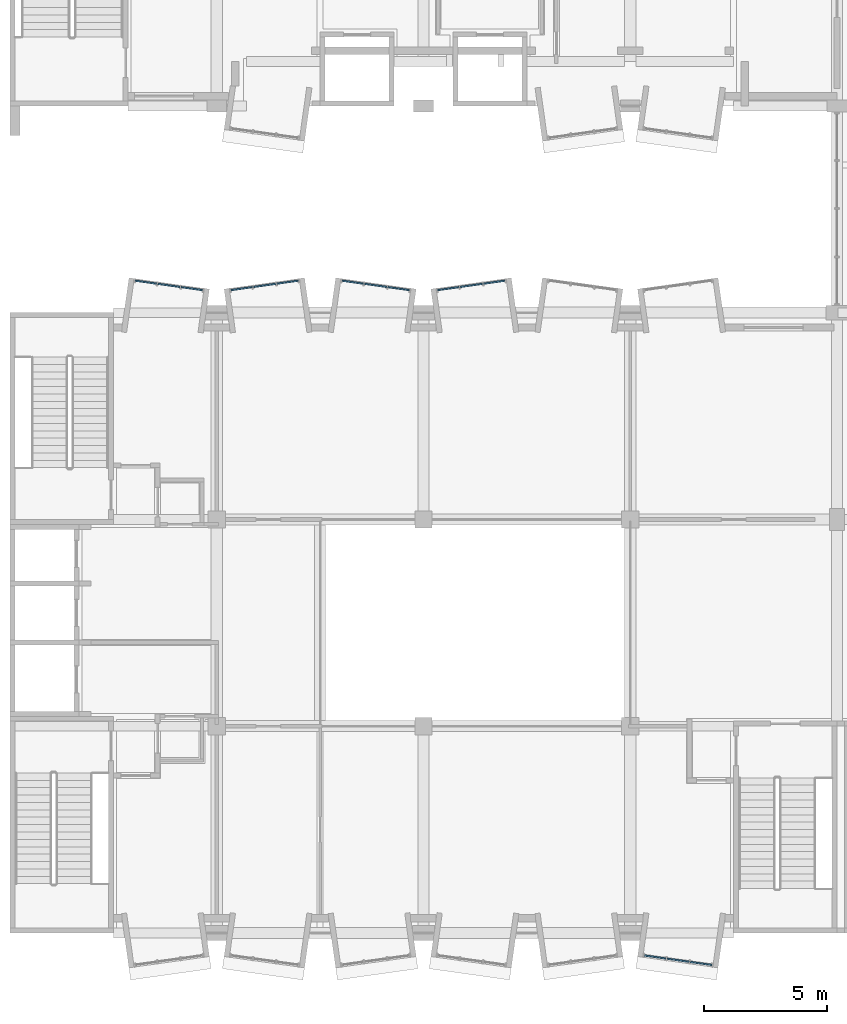
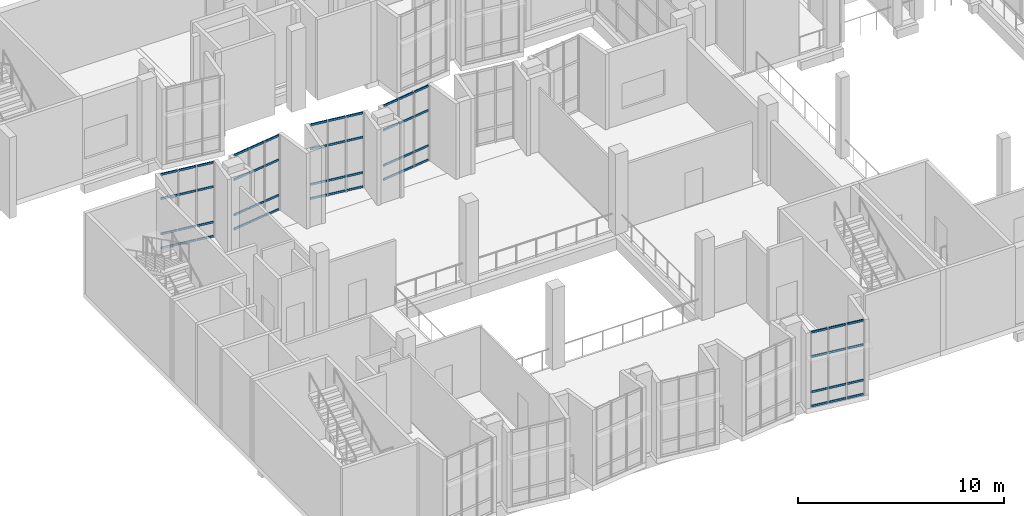
# One storey, part 47 of 100: 60 members, 5 elements without a shape of their own.
"""IFC4 building model written with IfcOpenShell, lengths in metres."""

from ifc_helpers import new_model, si_unit, direction, frame, origin, origin_2d, place, context, subcontext, project, spatial, rectangle, extrude, material, layer, layer_set, material_profile, profile_set, type_object, element, aggregate, save


model = new_model("IFC4")

# Units and contexts
model_context = context("Model", 3, precision=1e-05, world=origin(), true_north=direction((0.0, 1.0)))
body_context = subcontext(model_context, "Body", "Model", "MODEL_VIEW")
ifc_project = project(units=[si_unit("LENGTHUNIT", "METRE"), si_unit("AREAUNIT", "SQUARE_METRE"), si_unit("VOLUMEUNIT", "CUBIC_METRE"), si_unit("PLANEANGLEUNIT", "RADIAN"), si_unit("MASSUNIT", "GRAM", prefix="KILO")], contexts=[model_context])

# Site, building, storey
site_placement = place(None, origin())
site = spatial("IfcSite", under=ifc_project, at=site_placement, CompositionType="ELEMENT")
building_placement = place(site_placement, origin())
building = spatial("IfcBuilding", under=site, at=building_placement, Name="Kiln Court Media Centre", CompositionType="ELEMENT")
storey_placement = place(building_placement, frame((0.0, 0.0, 15.0)))
storey = spatial("IfcBuildingStorey", under=building, at=storey_placement, Name="L03", CompositionType="ELEMENT", Elevation=15.0)

# Curtain wall, members
ifc_material_1 = material(Name="Aluminium 6063-T6", Category="aluminium")
ifc_layer = layer(ifc_material_1, 0.1201171875)
ifc_layer_set = layer_set([ifc_layer], Name="Aluminium unitised bay curtain wall")
curtain_wall_type = type_object("IfcCurtainWallType", Name="Aluminium unitised bay curtain wall", PredefinedType="USERDEFINED", material=ifc_layer_set)
curtain_wall_1_placement = place(storey_placement, origin())
curtain_wall_1 = element("IfcCurtainWall", 1, at=curtain_wall_1_placement, inside=storey, type_object=curtain_wall_type, Name="BAY V6A-N-L03-16 front", ObjectType="UNITISED CURTAIN WALL", PredefinedType="USERDEFINED")
ifc_material_2 = material(Name="Aluminium 6063-T6", Category="aluminium")
ifc_material_profile = material_profile(ifc_material_2, rectangle(XDim=0.06005859375, YDim=0.1201171875, at=origin_2d()), Name="Aluminium transom 60x120")
ifc_profile_set = profile_set([ifc_material_profile], Name="Aluminium 6063-T6")
member_type = type_object("IfcMemberType", Name="Aluminium transom 60x120", PredefinedType="USERDEFINED", material=ifc_profile_set)
member_1_placement = place(storey_placement, frame((5.09423828125, 26.50048828125, 0.06005859375), z_axis=(0.990268108888, -0.139172815303, 0.0), x_axis=(0.139172815303, 0.990268108888, 0.0)))
member_1 = element("IfcMember", 2, at=member_1_placement, type_object=member_type, Name="CW3-04 transom 1.1", ObjectType="TRANSOM", PredefinedType="USERDEFINED", context=body_context, shape_type="SweptSolid", body=[
    extrude(rectangle(XDim=0.06005859375, YDim=0.1201171875, at=origin_2d()), origin(), (0.0, 0.0, 1.0), 0.86669921875),
])
member_2_placement = place(storey_placement, frame((5.09423828125, 26.50048828125, 0.89990234375), z_axis=(0.990268108888, -0.139172815303, 0.0), x_axis=(0.139172815303, 0.990268108888, 0.0)))
member_2 = element("IfcMember", 3, at=member_2_placement, type_object=member_type, Name="CW3-04 transom 1.2", ObjectType="TRANSOM", PredefinedType="USERDEFINED", context=body_context, shape_type="SweptSolid", body=[
    extrude(rectangle(XDim=0.06005859375, YDim=0.1201171875, at=origin_2d()), origin(), (0.0, 0.0, 1.0), 0.86669921875),
])
member_3_placement = place(storey_placement, frame((5.09423828125, 26.50048828125, 3.0), z_axis=(0.990268108888, -0.139172815303, 0.0), x_axis=(0.139172815303, 0.990268108888, 0.0)))
member_3 = element("IfcMember", 4, at=member_3_placement, type_object=member_type, Name="CW3-04 transom 1.3", ObjectType="TRANSOM", PredefinedType="USERDEFINED", context=body_context, shape_type="SweptSolid", body=[
    extrude(rectangle(XDim=0.06005859375, YDim=0.1201171875, at=origin_2d()), origin(), (0.0, 0.0, 1.0), 0.86669921875),
])
member_4_placement = place(storey_placement, frame((5.09423828125, 26.50048828125, 4.43994140625), z_axis=(0.990268108888, -0.139172815303, 0.0), x_axis=(0.139172815303, 0.990268108888, 0.0)))
member_4 = element("IfcMember", 5, at=member_4_placement, type_object=member_type, Name="CW3-04 transom 1.4", ObjectType="TRANSOM", PredefinedType="USERDEFINED", context=body_context, shape_type="SweptSolid", body=[
    extrude(rectangle(XDim=0.06005859375, YDim=0.1201171875, at=origin_2d()), origin(), (0.0, 0.0, 1.0), 0.86669921875),
])
member_5_placement = place(storey_placement, frame((6.011962890625, 26.37158203125, 0.06005859375), z_axis=(0.990273584723, -0.13913384707, 0.0), x_axis=(0.13913384707, 0.990273584723, 0.0)))
member_5 = element("IfcMember", 6, at=member_5_placement, type_object=member_type, Name="CW3-04 transom 2.1", ObjectType="TRANSOM", PredefinedType="USERDEFINED", context=body_context, shape_type="SweptSolid", body=[
    extrude(rectangle(XDim=0.06005859375, YDim=0.1201171875, at=origin_2d()), origin(), (0.0, 0.0, 1.0), 0.896728515625),
])
member_6_placement = place(storey_placement, frame((6.011962890625, 26.37158203125, 0.89990234375), z_axis=(0.990273584723, -0.13913384707, 0.0), x_axis=(0.13913384707, 0.990273584723, 0.0)))
member_6 = element("IfcMember", 7, at=member_6_placement, type_object=member_type, Name="CW3-04 transom 2.2", ObjectType="TRANSOM", PredefinedType="USERDEFINED", context=body_context, shape_type="SweptSolid", body=[
    extrude(rectangle(XDim=0.06005859375, YDim=0.1201171875, at=origin_2d()), origin(), (0.0, 0.0, 1.0), 0.896728515625),
])
member_7_placement = place(storey_placement, frame((6.011962890625, 26.37158203125, 3.0), z_axis=(0.990273584723, -0.13913384707, 0.0), x_axis=(0.13913384707, 0.990273584723, 0.0)))
member_7 = element("IfcMember", 8, at=member_7_placement, type_object=member_type, Name="CW3-04 transom 2.3", ObjectType="TRANSOM", PredefinedType="USERDEFINED", context=body_context, shape_type="SweptSolid", body=[
    extrude(rectangle(XDim=0.06005859375, YDim=0.1201171875, at=origin_2d()), origin(), (0.0, 0.0, 1.0), 0.896728515625),
])
member_8_placement = place(storey_placement, frame((6.011962890625, 26.37158203125, 4.43994140625), z_axis=(0.990273584723, -0.13913384707, 0.0), x_axis=(0.13913384707, 0.990273584723, 0.0)))
member_8 = element("IfcMember", 9, at=member_8_placement, type_object=member_type, Name="CW3-04 transom 2.4", ObjectType="TRANSOM", PredefinedType="USERDEFINED", context=body_context, shape_type="SweptSolid", body=[
    extrude(rectangle(XDim=0.06005859375, YDim=0.1201171875, at=origin_2d()), origin(), (0.0, 0.0, 1.0), 0.896728515625),
])
member_9_placement = place(storey_placement, frame((6.959228515625, 26.23828125, 0.06005859375), z_axis=(0.990268108888, -0.139172815303, 0.0), x_axis=(0.139172815303, 0.990268108888, 0.0)))
member_9 = element("IfcMember", 10, at=member_9_placement, type_object=member_type, Name="CW3-04 transom 3.1", ObjectType="TRANSOM", PredefinedType="USERDEFINED", context=body_context, shape_type="SweptSolid", body=[
    extrude(rectangle(XDim=0.06005859375, YDim=0.1201171875, at=origin_2d()), origin(), (0.0, 0.0, 1.0), 0.86669921875),
])
member_10_placement = place(storey_placement, frame((6.959228515625, 26.23828125, 0.89990234375), z_axis=(0.990268108888, -0.139172815303, 0.0), x_axis=(0.139172815303, 0.990268108888, 0.0)))
member_10 = element("IfcMember", 11, at=member_10_placement, type_object=member_type, Name="CW3-04 transom 3.2", ObjectType="TRANSOM", PredefinedType="USERDEFINED", context=body_context, shape_type="SweptSolid", body=[
    extrude(rectangle(XDim=0.06005859375, YDim=0.1201171875, at=origin_2d()), origin(), (0.0, 0.0, 1.0), 0.86669921875),
])
member_11_placement = place(storey_placement, frame((6.959228515625, 26.23828125, 3.0), z_axis=(0.990268108888, -0.139172815303, 0.0), x_axis=(0.139172815303, 0.990268108888, 0.0)))
member_11 = element("IfcMember", 12, at=member_11_placement, type_object=member_type, Name="CW3-04 transom 3.3", ObjectType="TRANSOM", PredefinedType="USERDEFINED", context=body_context, shape_type="SweptSolid", body=[
    extrude(rectangle(XDim=0.06005859375, YDim=0.1201171875, at=origin_2d()), origin(), (0.0, 0.0, 1.0), 0.86669921875),
])
member_12_placement = place(storey_placement, frame((6.959228515625, 26.23828125, 4.43994140625), z_axis=(0.990268108888, -0.139172815303, 0.0), x_axis=(0.139172815303, 0.990268108888, 0.0)))
member_12 = element("IfcMember", 13, at=member_12_placement, type_object=member_type, Name="CW3-04 transom 3.4", ObjectType="TRANSOM", PredefinedType="USERDEFINED", context=body_context, shape_type="SweptSolid", body=[
    extrude(rectangle(XDim=0.06005859375, YDim=0.1201171875, at=origin_2d()), origin(), (0.0, 0.0, 1.0), 0.86669921875),
])
aggregate(curtain_wall_1, [member_1, member_2, member_3, member_4, member_5, member_6, member_7, member_8, member_9, member_10, member_11, member_12])

curtain_wall_2_placement = place(storey_placement, origin())
curtain_wall_2 = element("IfcCurtainWall", 14, at=curtain_wall_2_placement, inside=storey, type_object=curtain_wall_type, Name="BAY V6A-N-L03-17 front", ObjectType="UNITISED CURTAIN WALL", PredefinedType="USERDEFINED")
member_13_placement = place(storey_placement, frame((8.982421875, 26.11767578125, 0.06005859375), z_axis=(0.990273563383, 0.139133998951, 0.0), x_axis=(-0.139133998951, 0.990273563383, 0.0)))
member_13 = element("IfcMember", 15, at=member_13_placement, type_object=member_type, Name="CW3-05 transom 1.1", ObjectType="TRANSOM", PredefinedType="USERDEFINED", context=body_context, shape_type="SweptSolid", body=[
    extrude(rectangle(XDim=0.06005859375, YDim=0.1201171875, at=origin_2d()), origin(), (0.0, 0.0, 1.0), 0.866943359375),
])
member_14_placement = place(storey_placement, frame((8.982421875, 26.11767578125, 0.89990234375), z_axis=(0.990273563383, 0.139133998951, 0.0), x_axis=(-0.139133998951, 0.990273563383, 0.0)))
member_14 = element("IfcMember", 16, at=member_14_placement, type_object=member_type, Name="CW3-05 transom 1.2", ObjectType="TRANSOM", PredefinedType="USERDEFINED", context=body_context, shape_type="SweptSolid", body=[
    extrude(rectangle(XDim=0.06005859375, YDim=0.1201171875, at=origin_2d()), origin(), (0.0, 0.0, 1.0), 0.866943359375),
])
member_15_placement = place(storey_placement, frame((8.982421875, 26.11767578125, 3.0), z_axis=(0.990273563383, 0.139133998951, 0.0), x_axis=(-0.139133998951, 0.990273563383, 0.0)))
member_15 = element("IfcMember", 17, at=member_15_placement, type_object=member_type, Name="CW3-05 transom 1.3", ObjectType="TRANSOM", PredefinedType="USERDEFINED", context=body_context, shape_type="SweptSolid", body=[
    extrude(rectangle(XDim=0.06005859375, YDim=0.1201171875, at=origin_2d()), origin(), (0.0, 0.0, 1.0), 0.866943359375),
])
member_16_placement = place(storey_placement, frame((8.982421875, 26.11767578125, 4.43994140625), z_axis=(0.990273563383, 0.139133998951, 0.0), x_axis=(-0.139133998951, 0.990273563383, 0.0)))
member_16 = element("IfcMember", 18, at=member_16_placement, type_object=member_type, Name="CW3-05 transom 1.4", ObjectType="TRANSOM", PredefinedType="USERDEFINED", context=body_context, shape_type="SweptSolid", body=[
    extrude(rectangle(XDim=0.06005859375, YDim=0.1201171875, at=origin_2d()), origin(), (0.0, 0.0, 1.0), 0.866943359375),
])
member_17_placement = place(storey_placement, frame((9.900146484375, 26.246826171875, 0.06005859375), z_axis=(0.990273584723, 0.13913384707, 0.0), x_axis=(-0.13913384707, 0.990273584723, 0.0)))
member_17 = element("IfcMember", 19, at=member_17_placement, type_object=member_type, Name="CW3-05 transom 2.1", ObjectType="TRANSOM", PredefinedType="USERDEFINED", context=body_context, shape_type="SweptSolid", body=[
    extrude(rectangle(XDim=0.06005859375, YDim=0.1201171875, at=origin_2d()), origin(), (0.0, 0.0, 1.0), 0.896728515625),
])
member_18_placement = place(storey_placement, frame((9.900146484375, 26.246826171875, 0.89990234375), z_axis=(0.990273584723, 0.13913384707, 0.0), x_axis=(-0.13913384707, 0.990273584723, 0.0)))
member_18 = element("IfcMember", 20, at=member_18_placement, type_object=member_type, Name="CW3-05 transom 2.2", ObjectType="TRANSOM", PredefinedType="USERDEFINED", context=body_context, shape_type="SweptSolid", body=[
    extrude(rectangle(XDim=0.06005859375, YDim=0.1201171875, at=origin_2d()), origin(), (0.0, 0.0, 1.0), 0.896728515625),
])
member_19_placement = place(storey_placement, frame((9.900146484375, 26.246826171875, 3.0), z_axis=(0.990273584723, 0.13913384707, 0.0), x_axis=(-0.13913384707, 0.990273584723, 0.0)))
member_19 = element("IfcMember", 21, at=member_19_placement, type_object=member_type, Name="CW3-05 transom 2.3", ObjectType="TRANSOM", PredefinedType="USERDEFINED", context=body_context, shape_type="SweptSolid", body=[
    extrude(rectangle(XDim=0.06005859375, YDim=0.1201171875, at=origin_2d()), origin(), (0.0, 0.0, 1.0), 0.896728515625),
])
member_20_placement = place(storey_placement, frame((9.900146484375, 26.246826171875, 4.43994140625), z_axis=(0.990273584723, 0.13913384707, 0.0), x_axis=(-0.13913384707, 0.990273584723, 0.0)))
member_20 = element("IfcMember", 22, at=member_20_placement, type_object=member_type, Name="CW3-05 transom 2.4", ObjectType="TRANSOM", PredefinedType="USERDEFINED", context=body_context, shape_type="SweptSolid", body=[
    extrude(rectangle(XDim=0.06005859375, YDim=0.1201171875, at=origin_2d()), origin(), (0.0, 0.0, 1.0), 0.896728515625),
])
member_21_placement = place(storey_placement, frame((10.84765625, 26.3798828125, 0.06005859375), z_axis=(0.990268108888, 0.139172815303, 0.0), x_axis=(-0.139172815303, 0.990268108888, 0.0)))
member_21 = element("IfcMember", 23, at=member_21_placement, type_object=member_type, Name="CW3-05 transom 3.1", ObjectType="TRANSOM", PredefinedType="USERDEFINED", context=body_context, shape_type="SweptSolid", body=[
    extrude(rectangle(XDim=0.06005859375, YDim=0.1201171875, at=origin_2d()), origin(), (0.0, 0.0, 1.0), 0.86669921875),
])
member_22_placement = place(storey_placement, frame((10.84765625, 26.3798828125, 0.89990234375), z_axis=(0.990268108888, 0.139172815303, 0.0), x_axis=(-0.139172815303, 0.990268108888, 0.0)))
member_22 = element("IfcMember", 24, at=member_22_placement, type_object=member_type, Name="CW3-05 transom 3.2", ObjectType="TRANSOM", PredefinedType="USERDEFINED", context=body_context, shape_type="SweptSolid", body=[
    extrude(rectangle(XDim=0.06005859375, YDim=0.1201171875, at=origin_2d()), origin(), (0.0, 0.0, 1.0), 0.86669921875),
])
member_23_placement = place(storey_placement, frame((10.84765625, 26.3798828125, 3.0), z_axis=(0.990268108888, 0.139172815303, 0.0), x_axis=(-0.139172815303, 0.990268108888, 0.0)))
member_23 = element("IfcMember", 25, at=member_23_placement, type_object=member_type, Name="CW3-05 transom 3.3", ObjectType="TRANSOM", PredefinedType="USERDEFINED", context=body_context, shape_type="SweptSolid", body=[
    extrude(rectangle(XDim=0.06005859375, YDim=0.1201171875, at=origin_2d()), origin(), (0.0, 0.0, 1.0), 0.86669921875),
])
member_24_placement = place(storey_placement, frame((10.84765625, 26.3798828125, 4.43994140625), z_axis=(0.990268108888, 0.139172815303, 0.0), x_axis=(-0.139172815303, 0.990268108888, 0.0)))
member_24 = element("IfcMember", 26, at=member_24_placement, type_object=member_type, Name="CW3-05 transom 3.4", ObjectType="TRANSOM", PredefinedType="USERDEFINED", context=body_context, shape_type="SweptSolid", body=[
    extrude(rectangle(XDim=0.06005859375, YDim=0.1201171875, at=origin_2d()), origin(), (0.0, 0.0, 1.0), 0.86669921875),
])
aggregate(curtain_wall_2, [member_13, member_14, member_15, member_16, member_17, member_18, member_19, member_20, member_21, member_22, member_23, member_24])

curtain_wall_3_placement = place(storey_placement, origin())
curtain_wall_3 = element("IfcCurtainWall", 27, at=curtain_wall_3_placement, inside=storey, type_object=curtain_wall_type, Name="BAY V6A-N-L03-18 front", ObjectType="UNITISED CURTAIN WALL", PredefinedType="USERDEFINED")
member_25_placement = place(storey_placement, frame((13.494140625, 26.50048828125, 0.06005859375), z_axis=(0.990273563383, -0.139133998951, 0.0), x_axis=(0.139133998951, 0.990273563383, 0.0)))
member_25 = element("IfcMember", 28, at=member_25_placement, type_object=member_type, Name="CW3-06 transom 1.1", ObjectType="TRANSOM", PredefinedType="USERDEFINED", context=body_context, shape_type="SweptSolid", body=[
    extrude(rectangle(XDim=0.06005859375, YDim=0.1201171875, at=origin_2d()), origin(), (0.0, 0.0, 1.0), 0.866943359375),
])
member_26_placement = place(storey_placement, frame((13.494140625, 26.50048828125, 0.89990234375), z_axis=(0.990273563383, -0.139133998951, 0.0), x_axis=(0.139133998951, 0.990273563383, 0.0)))
member_26 = element("IfcMember", 29, at=member_26_placement, type_object=member_type, Name="CW3-06 transom 1.2", ObjectType="TRANSOM", PredefinedType="USERDEFINED", context=body_context, shape_type="SweptSolid", body=[
    extrude(rectangle(XDim=0.06005859375, YDim=0.1201171875, at=origin_2d()), origin(), (0.0, 0.0, 1.0), 0.866943359375),
])
member_27_placement = place(storey_placement, frame((13.494140625, 26.50048828125, 3.0), z_axis=(0.990273563383, -0.139133998951, 0.0), x_axis=(0.139133998951, 0.990273563383, 0.0)))
member_27 = element("IfcMember", 30, at=member_27_placement, type_object=member_type, Name="CW3-06 transom 1.3", ObjectType="TRANSOM", PredefinedType="USERDEFINED", context=body_context, shape_type="SweptSolid", body=[
    extrude(rectangle(XDim=0.06005859375, YDim=0.1201171875, at=origin_2d()), origin(), (0.0, 0.0, 1.0), 0.866943359375),
])
member_28_placement = place(storey_placement, frame((13.494140625, 26.50048828125, 4.43994140625), z_axis=(0.990273563383, -0.139133998951, 0.0), x_axis=(0.139133998951, 0.990273563383, 0.0)))
member_28 = element("IfcMember", 31, at=member_28_placement, type_object=member_type, Name="CW3-06 transom 1.4", ObjectType="TRANSOM", PredefinedType="USERDEFINED", context=body_context, shape_type="SweptSolid", body=[
    extrude(rectangle(XDim=0.06005859375, YDim=0.1201171875, at=origin_2d()), origin(), (0.0, 0.0, 1.0), 0.866943359375),
])
member_29_placement = place(storey_placement, frame((14.411865234375, 26.37158203125, 0.06005859375), z_axis=(0.990273584723, -0.13913384707, 0.0), x_axis=(0.13913384707, 0.990273584723, 0.0)))
member_29 = element("IfcMember", 32, at=member_29_placement, type_object=member_type, Name="CW3-06 transom 2.1", ObjectType="TRANSOM", PredefinedType="USERDEFINED", context=body_context, shape_type="SweptSolid", body=[
    extrude(rectangle(XDim=0.06005859375, YDim=0.1201171875, at=origin_2d()), origin(), (0.0, 0.0, 1.0), 0.896728515625),
])
member_30_placement = place(storey_placement, frame((14.411865234375, 26.37158203125, 0.89990234375), z_axis=(0.990273584723, -0.13913384707, 0.0), x_axis=(0.13913384707, 0.990273584723, 0.0)))
member_30 = element("IfcMember", 33, at=member_30_placement, type_object=member_type, Name="CW3-06 transom 2.2", ObjectType="TRANSOM", PredefinedType="USERDEFINED", context=body_context, shape_type="SweptSolid", body=[
    extrude(rectangle(XDim=0.06005859375, YDim=0.1201171875, at=origin_2d()), origin(), (0.0, 0.0, 1.0), 0.896728515625),
])
member_31_placement = place(storey_placement, frame((14.411865234375, 26.37158203125, 3.0), z_axis=(0.990273584723, -0.13913384707, 0.0), x_axis=(0.13913384707, 0.990273584723, 0.0)))
member_31 = element("IfcMember", 34, at=member_31_placement, type_object=member_type, Name="CW3-06 transom 2.3", ObjectType="TRANSOM", PredefinedType="USERDEFINED", context=body_context, shape_type="SweptSolid", body=[
    extrude(rectangle(XDim=0.06005859375, YDim=0.1201171875, at=origin_2d()), origin(), (0.0, 0.0, 1.0), 0.896728515625),
])
member_32_placement = place(storey_placement, frame((14.411865234375, 26.37158203125, 4.43994140625), z_axis=(0.990273584723, -0.13913384707, 0.0), x_axis=(0.13913384707, 0.990273584723, 0.0)))
member_32 = element("IfcMember", 35, at=member_32_placement, type_object=member_type, Name="CW3-06 transom 2.4", ObjectType="TRANSOM", PredefinedType="USERDEFINED", context=body_context, shape_type="SweptSolid", body=[
    extrude(rectangle(XDim=0.06005859375, YDim=0.1201171875, at=origin_2d()), origin(), (0.0, 0.0, 1.0), 0.896728515625),
])
member_33_placement = place(storey_placement, frame((15.359130859375, 26.23828125, 0.06005859375), z_axis=(0.990273563383, -0.139133998951, 0.0), x_axis=(0.139133998951, 0.990273563383, 0.0)))
member_33 = element("IfcMember", 36, at=member_33_placement, type_object=member_type, Name="CW3-06 transom 3.1", ObjectType="TRANSOM", PredefinedType="USERDEFINED", context=body_context, shape_type="SweptSolid", body=[
    extrude(rectangle(XDim=0.06005859375, YDim=0.1201171875, at=origin_2d()), origin(), (0.0, 0.0, 1.0), 0.866943359375),
])
member_34_placement = place(storey_placement, frame((15.359130859375, 26.23828125, 0.89990234375), z_axis=(0.990273563383, -0.139133998951, 0.0), x_axis=(0.139133998951, 0.990273563383, 0.0)))
member_34 = element("IfcMember", 37, at=member_34_placement, type_object=member_type, Name="CW3-06 transom 3.2", ObjectType="TRANSOM", PredefinedType="USERDEFINED", context=body_context, shape_type="SweptSolid", body=[
    extrude(rectangle(XDim=0.06005859375, YDim=0.1201171875, at=origin_2d()), origin(), (0.0, 0.0, 1.0), 0.866943359375),
])
member_35_placement = place(storey_placement, frame((15.359130859375, 26.23828125, 3.0), z_axis=(0.990273563383, -0.139133998951, 0.0), x_axis=(0.139133998951, 0.990273563383, 0.0)))
member_35 = element("IfcMember", 38, at=member_35_placement, type_object=member_type, Name="CW3-06 transom 3.3", ObjectType="TRANSOM", PredefinedType="USERDEFINED", context=body_context, shape_type="SweptSolid", body=[
    extrude(rectangle(XDim=0.06005859375, YDim=0.1201171875, at=origin_2d()), origin(), (0.0, 0.0, 1.0), 0.866943359375),
])
member_36_placement = place(storey_placement, frame((15.359130859375, 26.23828125, 4.43994140625), z_axis=(0.990273563383, -0.139133998951, 0.0), x_axis=(0.139133998951, 0.990273563383, 0.0)))
member_36 = element("IfcMember", 39, at=member_36_placement, type_object=member_type, Name="CW3-06 transom 3.4", ObjectType="TRANSOM", PredefinedType="USERDEFINED", context=body_context, shape_type="SweptSolid", body=[
    extrude(rectangle(XDim=0.06005859375, YDim=0.1201171875, at=origin_2d()), origin(), (0.0, 0.0, 1.0), 0.866943359375),
])
aggregate(curtain_wall_3, [member_25, member_26, member_27, member_28, member_29, member_30, member_31, member_32, member_33, member_34, member_35, member_36])

curtain_wall_4_placement = place(storey_placement, origin())
curtain_wall_4 = element("IfcCurtainWall", 40, at=curtain_wall_4_placement, inside=storey, type_object=curtain_wall_type, Name="BAY V6A-N-L03-19 front", ObjectType="UNITISED CURTAIN WALL", PredefinedType="USERDEFINED")
member_37_placement = place(storey_placement, frame((17.382568359375, 26.11767578125, 0.06005859375), z_axis=(0.990268108888, 0.139172815303, 0.0), x_axis=(-0.139172815303, 0.990268108888, 0.0)))
member_37 = element("IfcMember", 41, at=member_37_placement, type_object=member_type, Name="CW3-07 transom 1.1", ObjectType="TRANSOM", PredefinedType="USERDEFINED", context=body_context, shape_type="SweptSolid", body=[
    extrude(rectangle(XDim=0.06005859375, YDim=0.1201171875, at=origin_2d()), origin(), (0.0, 0.0, 1.0), 0.86669921875),
])
member_38_placement = place(storey_placement, frame((17.382568359375, 26.11767578125, 0.89990234375), z_axis=(0.990268108888, 0.139172815303, 0.0), x_axis=(-0.139172815303, 0.990268108888, 0.0)))
member_38 = element("IfcMember", 42, at=member_38_placement, type_object=member_type, Name="CW3-07 transom 1.2", ObjectType="TRANSOM", PredefinedType="USERDEFINED", context=body_context, shape_type="SweptSolid", body=[
    extrude(rectangle(XDim=0.06005859375, YDim=0.1201171875, at=origin_2d()), origin(), (0.0, 0.0, 1.0), 0.86669921875),
])
member_39_placement = place(storey_placement, frame((17.382568359375, 26.11767578125, 3.0), z_axis=(0.990268108888, 0.139172815303, 0.0), x_axis=(-0.139172815303, 0.990268108888, 0.0)))
member_39 = element("IfcMember", 43, at=member_39_placement, type_object=member_type, Name="CW3-07 transom 1.3", ObjectType="TRANSOM", PredefinedType="USERDEFINED", context=body_context, shape_type="SweptSolid", body=[
    extrude(rectangle(XDim=0.06005859375, YDim=0.1201171875, at=origin_2d()), origin(), (0.0, 0.0, 1.0), 0.86669921875),
])
member_40_placement = place(storey_placement, frame((17.382568359375, 26.11767578125, 4.43994140625), z_axis=(0.990268108888, 0.139172815303, 0.0), x_axis=(-0.139172815303, 0.990268108888, 0.0)))
member_40 = element("IfcMember", 44, at=member_40_placement, type_object=member_type, Name="CW3-07 transom 1.4", ObjectType="TRANSOM", PredefinedType="USERDEFINED", context=body_context, shape_type="SweptSolid", body=[
    extrude(rectangle(XDim=0.06005859375, YDim=0.1201171875, at=origin_2d()), origin(), (0.0, 0.0, 1.0), 0.86669921875),
])
member_41_placement = place(storey_placement, frame((18.30029296875, 26.246826171875, 0.06005859375), z_axis=(0.990273584723, 0.13913384707, 0.0), x_axis=(-0.13913384707, 0.990273584723, 0.0)))
member_41 = element("IfcMember", 45, at=member_41_placement, type_object=member_type, Name="CW3-07 transom 2.1", ObjectType="TRANSOM", PredefinedType="USERDEFINED", context=body_context, shape_type="SweptSolid", body=[
    extrude(rectangle(XDim=0.06005859375, YDim=0.1201171875, at=origin_2d()), origin(), (0.0, 0.0, 1.0), 0.896728515625),
])
member_42_placement = place(storey_placement, frame((18.30029296875, 26.246826171875, 0.89990234375), z_axis=(0.990273584723, 0.13913384707, 0.0), x_axis=(-0.13913384707, 0.990273584723, 0.0)))
member_42 = element("IfcMember", 46, at=member_42_placement, type_object=member_type, Name="CW3-07 transom 2.2", ObjectType="TRANSOM", PredefinedType="USERDEFINED", context=body_context, shape_type="SweptSolid", body=[
    extrude(rectangle(XDim=0.06005859375, YDim=0.1201171875, at=origin_2d()), origin(), (0.0, 0.0, 1.0), 0.896728515625),
])
member_43_placement = place(storey_placement, frame((18.30029296875, 26.246826171875, 3.0), z_axis=(0.990273584723, 0.13913384707, 0.0), x_axis=(-0.13913384707, 0.990273584723, 0.0)))
member_43 = element("IfcMember", 47, at=member_43_placement, type_object=member_type, Name="CW3-07 transom 2.3", ObjectType="TRANSOM", PredefinedType="USERDEFINED", context=body_context, shape_type="SweptSolid", body=[
    extrude(rectangle(XDim=0.06005859375, YDim=0.1201171875, at=origin_2d()), origin(), (0.0, 0.0, 1.0), 0.896728515625),
])
member_44_placement = place(storey_placement, frame((18.30029296875, 26.246826171875, 4.43994140625), z_axis=(0.990273584723, 0.13913384707, 0.0), x_axis=(-0.13913384707, 0.990273584723, 0.0)))
member_44 = element("IfcMember", 48, at=member_44_placement, type_object=member_type, Name="CW3-07 transom 2.4", ObjectType="TRANSOM", PredefinedType="USERDEFINED", context=body_context, shape_type="SweptSolid", body=[
    extrude(rectangle(XDim=0.06005859375, YDim=0.1201171875, at=origin_2d()), origin(), (0.0, 0.0, 1.0), 0.896728515625),
])
member_45_placement = place(storey_placement, frame((19.24755859375, 26.3798828125, 0.06005859375), z_axis=(0.990268108888, 0.139172815303, 0.0), x_axis=(-0.139172815303, 0.990268108888, 0.0)))
member_45 = element("IfcMember", 49, at=member_45_placement, type_object=member_type, Name="CW3-07 transom 3.1", ObjectType="TRANSOM", PredefinedType="USERDEFINED", context=body_context, shape_type="SweptSolid", body=[
    extrude(rectangle(XDim=0.06005859375, YDim=0.1201171875, at=origin_2d()), origin(), (0.0, 0.0, 1.0), 0.86669921875),
])
member_46_placement = place(storey_placement, frame((19.24755859375, 26.3798828125, 0.89990234375), z_axis=(0.990268108888, 0.139172815303, 0.0), x_axis=(-0.139172815303, 0.990268108888, 0.0)))
member_46 = element("IfcMember", 50, at=member_46_placement, type_object=member_type, Name="CW3-07 transom 3.2", ObjectType="TRANSOM", PredefinedType="USERDEFINED", context=body_context, shape_type="SweptSolid", body=[
    extrude(rectangle(XDim=0.06005859375, YDim=0.1201171875, at=origin_2d()), origin(), (0.0, 0.0, 1.0), 0.86669921875),
])
member_47_placement = place(storey_placement, frame((19.24755859375, 26.3798828125, 3.0), z_axis=(0.990268108888, 0.139172815303, 0.0), x_axis=(-0.139172815303, 0.990268108888, 0.0)))
member_47 = element("IfcMember", 51, at=member_47_placement, type_object=member_type, Name="CW3-07 transom 3.3", ObjectType="TRANSOM", PredefinedType="USERDEFINED", context=body_context, shape_type="SweptSolid", body=[
    extrude(rectangle(XDim=0.06005859375, YDim=0.1201171875, at=origin_2d()), origin(), (0.0, 0.0, 1.0), 0.86669921875),
])
member_48_placement = place(storey_placement, frame((19.24755859375, 26.3798828125, 4.43994140625), z_axis=(0.990268108888, 0.139172815303, 0.0), x_axis=(-0.139172815303, 0.990268108888, 0.0)))
member_48 = element("IfcMember", 52, at=member_48_placement, type_object=member_type, Name="CW3-07 transom 3.4", ObjectType="TRANSOM", PredefinedType="USERDEFINED", context=body_context, shape_type="SweptSolid", body=[
    extrude(rectangle(XDim=0.06005859375, YDim=0.1201171875, at=origin_2d()), origin(), (0.0, 0.0, 1.0), 0.86669921875),
])
aggregate(curtain_wall_4, [member_37, member_38, member_39, member_40, member_41, member_42, member_43, member_44, member_45, member_46, member_47, member_48])

curtain_wall_5_placement = place(storey_placement, origin())
curtain_wall_5 = element("IfcCurtainWall", 53, at=curtain_wall_5_placement, inside=storey, type_object=curtain_wall_type, Name="BAY V6A-S-L03-22 front", ObjectType="UNITISED CURTAIN WALL", PredefinedType="USERDEFINED")
member_49_placement = place(storey_placement, frame((25.782470703125, -0.917724609375, 0.06005859375), z_axis=(0.990273563383, -0.139133998951, 0.0), x_axis=(0.139133998951, 0.990273563383, 0.0)))
member_49 = element("IfcMember", 54, at=member_49_placement, type_object=member_type, Name="CW3-15 transom 1.1", ObjectType="TRANSOM", PredefinedType="USERDEFINED", context=body_context, shape_type="SweptSolid", body=[
    extrude(rectangle(XDim=0.06005859375, YDim=0.1201171875, at=origin_2d()), origin(), (0.0, 0.0, 1.0), 0.866943359375),
])
member_50_placement = place(storey_placement, frame((25.782470703125, -0.917724609375, 0.89990234375), z_axis=(0.990273563383, -0.139133998951, 0.0), x_axis=(0.139133998951, 0.990273563383, 0.0)))
member_50 = element("IfcMember", 55, at=member_50_placement, type_object=member_type, Name="CW3-15 transom 1.2", ObjectType="TRANSOM", PredefinedType="USERDEFINED", context=body_context, shape_type="SweptSolid", body=[
    extrude(rectangle(XDim=0.06005859375, YDim=0.1201171875, at=origin_2d()), origin(), (0.0, 0.0, 1.0), 0.866943359375),
])
member_51_placement = place(storey_placement, frame((25.782470703125, -0.917724609375, 3.0), z_axis=(0.990273563383, -0.139133998951, 0.0), x_axis=(0.139133998951, 0.990273563383, 0.0)))
member_51 = element("IfcMember", 56, at=member_51_placement, type_object=member_type, Name="CW3-15 transom 1.3", ObjectType="TRANSOM", PredefinedType="USERDEFINED", context=body_context, shape_type="SweptSolid", body=[
    extrude(rectangle(XDim=0.06005859375, YDim=0.1201171875, at=origin_2d()), origin(), (0.0, 0.0, 1.0), 0.866943359375),
])
member_52_placement = place(storey_placement, frame((25.782470703125, -0.917724609375, 4.43994140625), z_axis=(0.990273563383, -0.139133998951, 0.0), x_axis=(0.139133998951, 0.990273563383, 0.0)))
member_52 = element("IfcMember", 57, at=member_52_placement, type_object=member_type, Name="CW3-15 transom 1.4", ObjectType="TRANSOM", PredefinedType="USERDEFINED", context=body_context, shape_type="SweptSolid", body=[
    extrude(rectangle(XDim=0.06005859375, YDim=0.1201171875, at=origin_2d()), origin(), (0.0, 0.0, 1.0), 0.866943359375),
])
member_53_placement = place(storey_placement, frame((26.7001953125, -1.046630859375, 0.06005859375), z_axis=(0.990273584723, -0.13913384707, 0.0), x_axis=(0.13913384707, 0.990273584723, 0.0)))
member_53 = element("IfcMember", 58, at=member_53_placement, type_object=member_type, Name="CW3-15 transom 2.1", ObjectType="TRANSOM", PredefinedType="USERDEFINED", context=body_context, shape_type="SweptSolid", body=[
    extrude(rectangle(XDim=0.06005859375, YDim=0.1201171875, at=origin_2d()), origin(), (0.0, 0.0, 1.0), 0.896728515625),
])
member_54_placement = place(storey_placement, frame((26.7001953125, -1.046630859375, 0.89990234375), z_axis=(0.990273584723, -0.13913384707, 0.0), x_axis=(0.13913384707, 0.990273584723, 0.0)))
member_54 = element("IfcMember", 59, at=member_54_placement, type_object=member_type, Name="CW3-15 transom 2.2", ObjectType="TRANSOM", PredefinedType="USERDEFINED", context=body_context, shape_type="SweptSolid", body=[
    extrude(rectangle(XDim=0.06005859375, YDim=0.1201171875, at=origin_2d()), origin(), (0.0, 0.0, 1.0), 0.896728515625),
])
member_55_placement = place(storey_placement, frame((26.7001953125, -1.046630859375, 3.0), z_axis=(0.990273584723, -0.13913384707, 0.0), x_axis=(0.13913384707, 0.990273584723, 0.0)))
member_55 = element("IfcMember", 60, at=member_55_placement, type_object=member_type, Name="CW3-15 transom 2.3", ObjectType="TRANSOM", PredefinedType="USERDEFINED", context=body_context, shape_type="SweptSolid", body=[
    extrude(rectangle(XDim=0.06005859375, YDim=0.1201171875, at=origin_2d()), origin(), (0.0, 0.0, 1.0), 0.896728515625),
])
member_56_placement = place(storey_placement, frame((26.7001953125, -1.046630859375, 4.43994140625), z_axis=(0.990273584723, -0.13913384707, 0.0), x_axis=(0.13913384707, 0.990273584723, 0.0)))
member_56 = element("IfcMember", 61, at=member_56_placement, type_object=member_type, Name="CW3-15 transom 2.4", ObjectType="TRANSOM", PredefinedType="USERDEFINED", context=body_context, shape_type="SweptSolid", body=[
    extrude(rectangle(XDim=0.06005859375, YDim=0.1201171875, at=origin_2d()), origin(), (0.0, 0.0, 1.0), 0.896728515625),
])
member_57_placement = place(storey_placement, frame((27.6474609375, -1.179931640625, 0.06005859375), z_axis=(0.990273563383, -0.139133998951, 0.0), x_axis=(0.139133998951, 0.990273563383, 0.0)))
member_57 = element("IfcMember", 62, at=member_57_placement, type_object=member_type, Name="CW3-15 transom 3.1", ObjectType="TRANSOM", PredefinedType="USERDEFINED", context=body_context, shape_type="SweptSolid", body=[
    extrude(rectangle(XDim=0.06005859375, YDim=0.1201171875, at=origin_2d()), origin(), (0.0, 0.0, 1.0), 0.866943359375),
])
member_58_placement = place(storey_placement, frame((27.6474609375, -1.179931640625, 0.89990234375), z_axis=(0.990273563383, -0.139133998951, 0.0), x_axis=(0.139133998951, 0.990273563383, 0.0)))
member_58 = element("IfcMember", 63, at=member_58_placement, type_object=member_type, Name="CW3-15 transom 3.2", ObjectType="TRANSOM", PredefinedType="USERDEFINED", context=body_context, shape_type="SweptSolid", body=[
    extrude(rectangle(XDim=0.06005859375, YDim=0.1201171875, at=origin_2d()), origin(), (0.0, 0.0, 1.0), 0.866943359375),
])
member_59_placement = place(storey_placement, frame((27.6474609375, -1.179931640625, 3.0), z_axis=(0.990273563383, -0.139133998951, 0.0), x_axis=(0.139133998951, 0.990273563383, 0.0)))
member_59 = element("IfcMember", 64, at=member_59_placement, type_object=member_type, Name="CW3-15 transom 3.3", ObjectType="TRANSOM", PredefinedType="USERDEFINED", context=body_context, shape_type="SweptSolid", body=[
    extrude(rectangle(XDim=0.06005859375, YDim=0.1201171875, at=origin_2d()), origin(), (0.0, 0.0, 1.0), 0.866943359375),
])
member_60_placement = place(storey_placement, frame((27.6474609375, -1.179931640625, 4.43994140625), z_axis=(0.990273563383, -0.139133998951, 0.0), x_axis=(0.139133998951, 0.990273563383, 0.0)))
member_60 = element("IfcMember", 65, at=member_60_placement, type_object=member_type, Name="CW3-15 transom 3.4", ObjectType="TRANSOM", PredefinedType="USERDEFINED", context=body_context, shape_type="SweptSolid", body=[
    extrude(rectangle(XDim=0.06005859375, YDim=0.1201171875, at=origin_2d()), origin(), (0.0, 0.0, 1.0), 0.866943359375),
])
aggregate(curtain_wall_5, [member_49, member_50, member_51, member_52, member_53, member_54, member_55, member_56, member_57, member_58, member_59, member_60])

save(model, "model.ifc")
